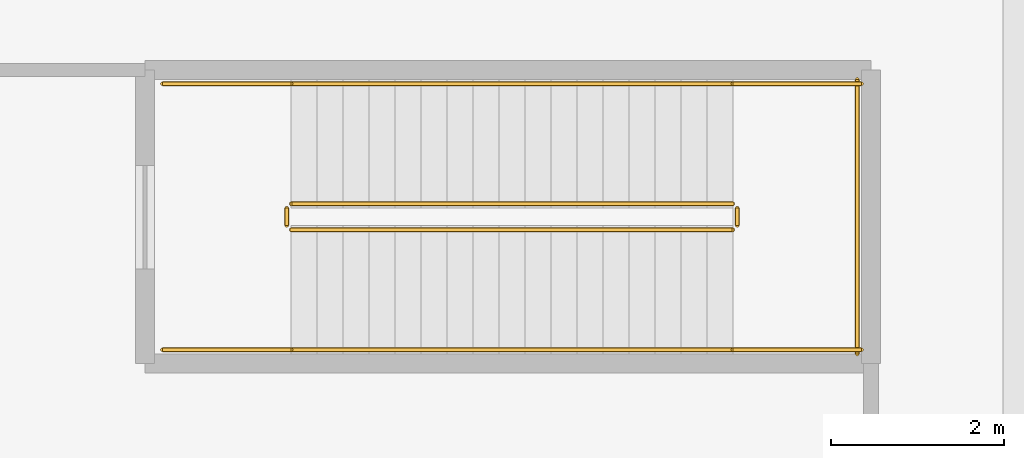
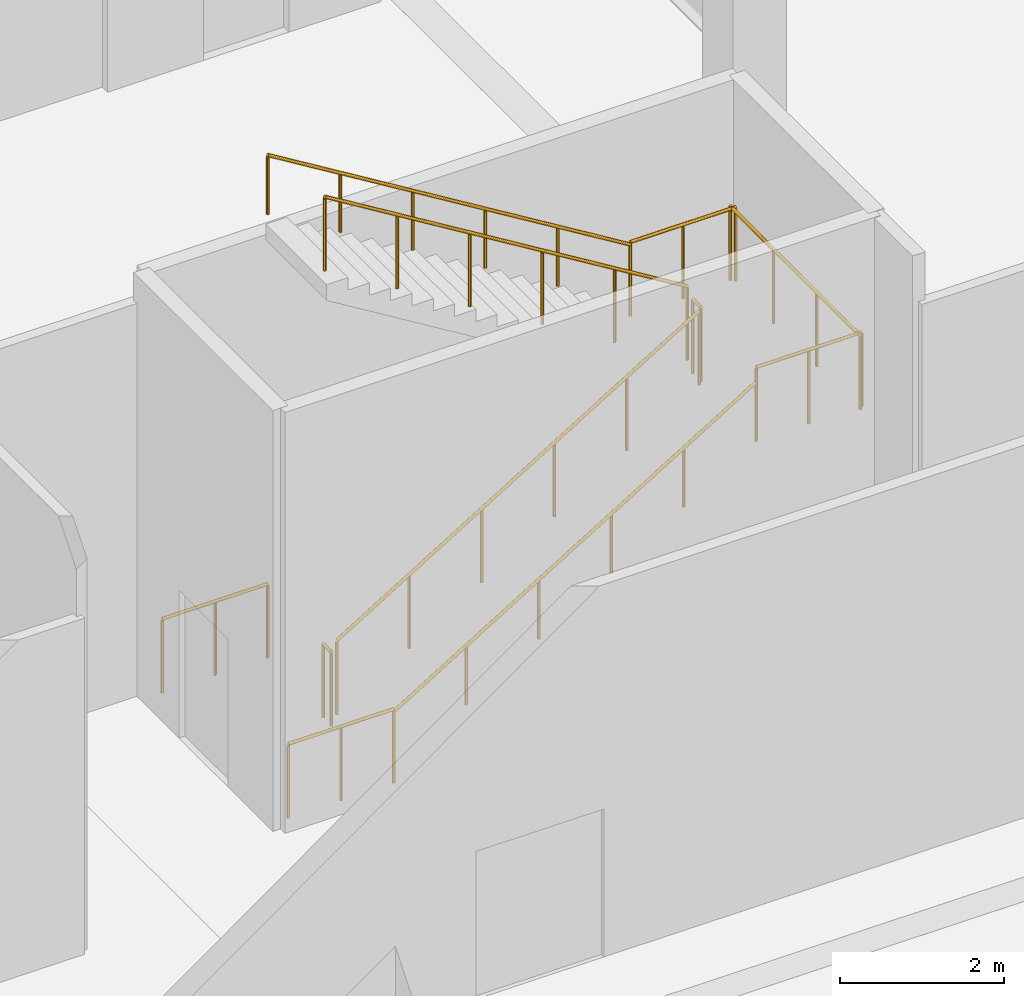
# One storey, part 116 of 117: 11 railings.
"""IFC4 building model written with IfcOpenShell, lengths in metres."""

from ifc_helpers import new_model, si_unit, direction, frame, origin, origin_2d, place, context, subcontext, project, spatial, circle, extrude, material, type_object, element, save


model = new_model("IFC4")

# Units and contexts
model_context = context("Model", 3, precision=1e-05, world=origin(), true_north=direction((0.0, 1.0)))
body_context = subcontext(model_context, "Body", "Model", "MODEL_VIEW")
ifc_project = project(units=[si_unit("LENGTHUNIT", "METRE"), si_unit("AREAUNIT", "SQUARE_METRE"), si_unit("VOLUMEUNIT", "CUBIC_METRE"), si_unit("PLANEANGLEUNIT", "RADIAN"), si_unit("MASSUNIT", "GRAM", prefix="KILO")], contexts=[model_context])

# Site, building, storey
site_placement = place(None, origin())
site = spatial("IfcSite", under=ifc_project, at=site_placement, CompositionType="ELEMENT")
building_placement = place(site_placement, origin())
building = spatial("IfcBuilding", under=site, at=building_placement, Name="Kamomehara Wholesale Market", CompositionType="ELEMENT")
storey_placement = place(building_placement, origin())
storey = spatial("IfcBuildingStorey", under=building, at=storey_placement, Name="L00", CompositionType="ELEMENT", Elevation=0.0)

# Railings
ifc_material_1 = material(Name="Steel SN400B", Category="steel")
railing_type_1 = type_object("IfcRailingType", Name="RAL-HND-900", PredefinedType="HANDRAIL", material=ifc_material_1)
railing_1_placement = place(storey_placement, frame((171.485107421875, 137.800048828125, 0.183349609375)))
element("IfcRailing", 1, at=railing_1_placement, inside=storey, type_object=railing_type_1, Name="L00 ST-14 stair handrail 1", PredefinedType="HANDRAIL", context=body_context, shape_type="SweptSolid", body=[
    extrude(circle(Radius=0.02392578125, at=origin_2d()), frame((0.0, 0.0, 0.8759765625), z_axis=(0.853272746002, 0.0, 0.521464879863), x_axis=(0.0, 1.0, 0.0)), (0.0, 0.0, 1.0), 5.976806640625),
    extrude(circle(Radius=0.02099609375, at=origin_2d()), origin(), (0.0, 0.0, 1.0), 0.851806640625),
    extrude(circle(Radius=0.02099609375, at=origin_2d()), frame((1.02001953125, 0.0, 0.623291015625)), (0.0, 0.0, 1.0), 0.851806640625),
    extrude(circle(Radius=0.02099609375, at=origin_2d()), frame((2.0400390625, 0.0, 1.24658203125)), (0.0, 0.0, 1.0), 0.851806640625),
    extrude(circle(Radius=0.02099609375, at=origin_2d()), frame((3.059814453125, 0.0, 1.8701171875)), (0.0, 0.0, 1.0), 0.851806640625),
    extrude(circle(Radius=0.02099609375, at=origin_2d()), frame((4.079833984375, 0.0, 2.493408203125)), (0.0, 0.0, 1.0), 0.851806640625),
    extrude(circle(Radius=0.02099609375, at=origin_2d()), frame((5.099853515625, 0.0, 3.11669921875)), (0.0, 0.0, 1.0), 0.851806640625),
])
railing_2_placement = place(storey_placement, frame((176.5849609375, 140.8701171875, 3.4833984375)))
element("IfcRailing", 2, at=railing_2_placement, inside=storey, type_object=railing_type_1, Name="L00 ST-14 stair handrail 2", PredefinedType="HANDRAIL", context=body_context, shape_type="SweptSolid", body=[
    extrude(circle(Radius=0.02392578125, at=origin_2d()), frame((0.0, 0.0, 0.8759765625), z_axis=(-0.853272746002, 0.0, 0.521464879863), x_axis=(0.0, -1.0, 0.0)), (0.0, 0.0, 1.0), 5.976806640625),
    extrude(circle(Radius=0.02099609375, at=origin_2d()), origin(), (0.0, 0.0, 1.0), 0.851806640625),
    extrude(circle(Radius=0.02099609375, at=origin_2d()), frame((-1.02001953125, 0.0, 0.623291015625)), (0.0, 0.0, 1.0), 0.851806640625),
    extrude(circle(Radius=0.02099609375, at=origin_2d()), frame((-2.0400390625, 0.0, 1.24658203125)), (0.0, 0.0, 1.0), 0.851806640625),
    extrude(circle(Radius=0.02099609375, at=origin_2d()), frame((-3.059814453125, 0.0, 1.8701171875)), (0.0, 0.0, 1.0), 0.851806640625),
    extrude(circle(Radius=0.02099609375, at=origin_2d()), frame((-4.079833984375, 0.0, 2.493408203125)), (0.0, 0.0, 1.0), 0.851806640625),
    extrude(circle(Radius=0.02099609375, at=origin_2d()), frame((-5.099853515625, 0.0, 3.11669921875)), (0.0, 0.0, 1.0), 0.851806640625),
])
ifc_material_2 = material(Name="Steel SN400B", Category="steel")
railing_type_2 = type_object("IfcRailingType", Name="RAL-INT-1100", PredefinedType="BALUSTRADE", material=ifc_material_2)
railing_3_placement = place(storey_placement, frame((171.485107421875, 139.18505859375, 0.183349609375)))
element("IfcRailing", 3, at=railing_3_placement, inside=storey, type_object=railing_type_2, Name="L00 ST-14 stair guard 1", PredefinedType="BALUSTRADE", context=body_context, shape_type="SweptSolid", body=[
    extrude(circle(Radius=0.02392578125, at=origin_2d()), frame((0.0, 0.0, 1.09619140625), z_axis=(0.853272746002, 0.0, 0.521464879863), x_axis=(0.0, 1.0, 0.0)), (0.0, 0.0, 1.0), 5.976806640625),
    extrude(circle(Radius=0.02099609375, at=origin_2d()), origin(), (0.0, 0.0, 1.0), 1.072021484375),
    extrude(circle(Radius=0.02099609375, at=origin_2d()), frame((1.02001953125, 0.0, 0.623291015625)), (0.0, 0.0, 1.0), 1.072021484375),
    extrude(circle(Radius=0.02099609375, at=origin_2d()), frame((2.0400390625, 0.0, 1.24658203125)), (0.0, 0.0, 1.0), 1.072021484375),
    extrude(circle(Radius=0.02099609375, at=origin_2d()), frame((3.059814453125, 0.0, 1.8701171875)), (0.0, 0.0, 1.0), 1.072021484375),
    extrude(circle(Radius=0.02099609375, at=origin_2d()), frame((4.079833984375, 0.0, 2.493408203125)), (0.0, 0.0, 1.0), 1.072021484375),
    extrude(circle(Radius=0.02099609375, at=origin_2d()), frame((5.099853515625, 0.0, 3.11669921875)), (0.0, 0.0, 1.0), 1.072021484375),
])
railing_4_placement = place(storey_placement, frame((176.635009765625, 139.235107421875, 3.300048828125)))
element("IfcRailing", 4, at=railing_4_placement, inside=storey, type_object=railing_type_2, Name="L00 ST-14 stair guard 2", PredefinedType="BALUSTRADE", context=body_context, shape_type="SweptSolid", body=[
    extrude(circle(Radius=0.02392578125, at=origin_2d()), frame((0.0, 0.0, 1.09619140625), z_axis=(0.0, 1.0, 0.0), x_axis=(-1.0, 0.0, 0.0)), (0.0, 0.0, 1.0), 0.199951171875),
    extrude(circle(Radius=0.02099609375, at=origin_2d()), origin(), (0.0, 0.0, 1.0), 1.072021484375),
    extrude(circle(Radius=0.02099609375, at=origin_2d()), frame((0.0, 0.199951171875, 0.0)), (0.0, 0.0, 1.0), 1.072021484375),
])
for number, where, name in (
    (5, (176.5849609375, 137.800048828125, 3.300048828125), "L00 ST-14 stair guard 3"),
    (6, (176.5849609375, 140.8701171875, 3.300048828125), "L00 ST-14 stair guard 4"),
):
    element("IfcRailing", number, at=place(storey_placement, frame(where)), inside=storey, type_object=railing_type_2, Name=name, PredefinedType="BALUSTRADE", context=body_context, shape_type="SweptSolid", body=[
        extrude(circle(Radius=0.02392578125, at=origin_2d()), frame((0.0, 0.0, 1.09619140625), z_axis=(1.0, 0.0, 0.0), x_axis=(0.0, 1.0, 0.0)), (0.0, 0.0, 1.0), 1.485107421875),
        extrude(circle(Radius=0.02099609375, at=origin_2d()), origin(), (0.0, 0.0, 1.0), 1.072021484375),
        extrude(circle(Radius=0.02099609375, at=origin_2d()), frame((0.74267578125, 0.0, 0.0)), (0.0, 0.0, 1.0), 1.072021484375),
        extrude(circle(Radius=0.02099609375, at=origin_2d()), frame((1.485107421875, 0.0, 0.0)), (0.0, 0.0, 1.0), 1.072021484375),
    ])
railing_5_placement = place(storey_placement, frame((178.02001953125, 137.75, 3.300048828125)))
element("IfcRailing", 7, at=railing_5_placement, inside=storey, type_object=railing_type_2, Name="L00 ST-14 stair guard 5", PredefinedType="BALUSTRADE", context=body_context, shape_type="SweptSolid", body=[
    extrude(circle(Radius=0.02392578125, at=origin_2d()), frame((0.0, 0.0, 1.09619140625), z_axis=(0.0, 1.0, 0.0), x_axis=(-1.0, 0.0, 0.0)), (0.0, 0.0, 1.0), 3.169921875),
    extrude(circle(Radius=0.02099609375, at=origin_2d()), origin(), (0.0, 0.0, 1.0), 1.072021484375),
    extrude(circle(Radius=0.02099609375, at=origin_2d()), frame((0.0, 1.056640625, 0.0)), (0.0, 0.0, 1.0), 1.072021484375),
    extrude(circle(Radius=0.02099609375, at=origin_2d()), frame((0.0, 2.11328125, 0.0)), (0.0, 0.0, 1.0), 1.072021484375),
    extrude(circle(Radius=0.02099609375, at=origin_2d()), frame((0.0, 3.169921875, 0.0)), (0.0, 0.0, 1.0), 1.072021484375),
])
railing_6_placement = place(storey_placement, frame((176.5849609375, 139.485107421875, 3.4833984375)))
element("IfcRailing", 8, at=railing_6_placement, inside=storey, type_object=railing_type_2, Name="L00 ST-14 stair guard 6", PredefinedType="BALUSTRADE", context=body_context, shape_type="SweptSolid", body=[
    extrude(circle(Radius=0.02392578125, at=origin_2d()), frame((0.0, 0.0, 1.09619140625), z_axis=(-0.853272746002, 0.0, 0.521464879863), x_axis=(0.0, -1.0, 0.0)), (0.0, 0.0, 1.0), 5.976806640625),
    extrude(circle(Radius=0.02099609375, at=origin_2d()), origin(), (0.0, 0.0, 1.0), 1.072021484375),
    extrude(circle(Radius=0.02099609375, at=origin_2d()), frame((-1.02001953125, 0.0, 0.623291015625)), (0.0, 0.0, 1.0), 1.072021484375),
    extrude(circle(Radius=0.02099609375, at=origin_2d()), frame((-2.0400390625, 0.0, 1.24658203125)), (0.0, 0.0, 1.0), 1.072021484375),
    extrude(circle(Radius=0.02099609375, at=origin_2d()), frame((-3.059814453125, 0.0, 1.8701171875)), (0.0, 0.0, 1.0), 1.072021484375),
    extrude(circle(Radius=0.02099609375, at=origin_2d()), frame((-4.079833984375, 0.0, 2.493408203125)), (0.0, 0.0, 1.0), 1.072021484375),
    extrude(circle(Radius=0.02099609375, at=origin_2d()), frame((-5.099853515625, 0.0, 3.11669921875)), (0.0, 0.0, 1.0), 1.072021484375),
])
railing_7_placement = place(storey_placement, frame((171.43505859375, 139.235107421875, 0.0)))
element("IfcRailing", 9, at=railing_7_placement, inside=storey, type_object=railing_type_2, Name="L00 ST-14 stair guard 7", PredefinedType="BALUSTRADE", context=body_context, shape_type="SweptSolid", body=[
    extrude(circle(Radius=0.02392578125, at=origin_2d()), frame((0.0, 0.0, 1.09619140625), z_axis=(0.0, 1.0, 0.0), x_axis=(-1.0, 0.0, 0.0)), (0.0, 0.0, 1.0), 0.199951171875),
    extrude(circle(Radius=0.02099609375, at=origin_2d()), origin(), (0.0, 0.0, 1.0), 1.072021484375),
    extrude(circle(Radius=0.02099609375, at=origin_2d()), frame((0.0, 0.199951171875, 0.0)), (0.0, 0.0, 1.0), 1.072021484375),
])
for number, where, name in (
    (10, (170.0, 137.800048828125, 0.0), "L00 ST-14 stair guard 8"),
    (11, (170.0, 140.8701171875, 0.0), "L00 ST-14 stair guard 9"),
):
    element("IfcRailing", number, at=place(storey_placement, frame(where)), inside=storey, type_object=railing_type_2, Name=name, PredefinedType="BALUSTRADE", context=body_context, shape_type="SweptSolid", body=[
        extrude(circle(Radius=0.02392578125, at=origin_2d()), frame((0.0, 0.0, 1.09619140625), z_axis=(1.0, 0.0, 0.0), x_axis=(0.0, 1.0, 0.0)), (0.0, 0.0, 1.0), 1.485107421875),
        extrude(circle(Radius=0.02099609375, at=origin_2d()), origin(), (0.0, 0.0, 1.0), 1.072021484375),
        extrude(circle(Radius=0.02099609375, at=origin_2d()), frame((0.74267578125, 0.0, 0.0)), (0.0, 0.0, 1.0), 1.072021484375),
        extrude(circle(Radius=0.02099609375, at=origin_2d()), frame((1.485107421875, 0.0, 0.0)), (0.0, 0.0, 1.0), 1.072021484375),
    ])

save(model, "model.ifc")
